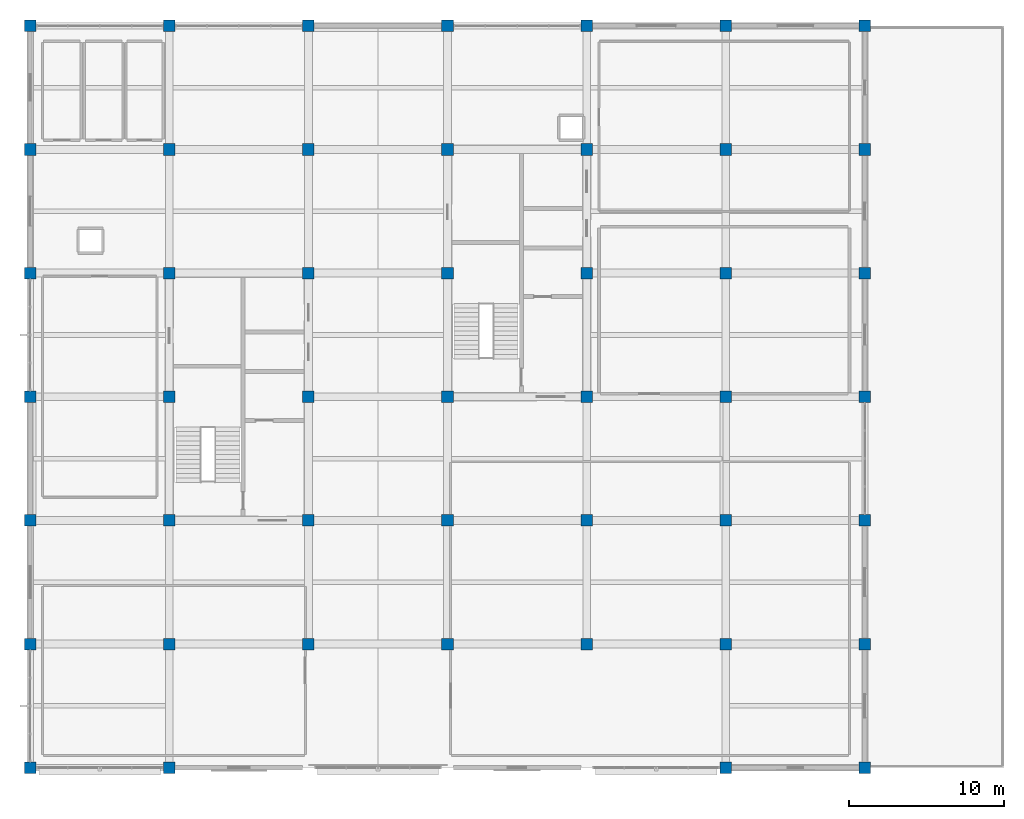
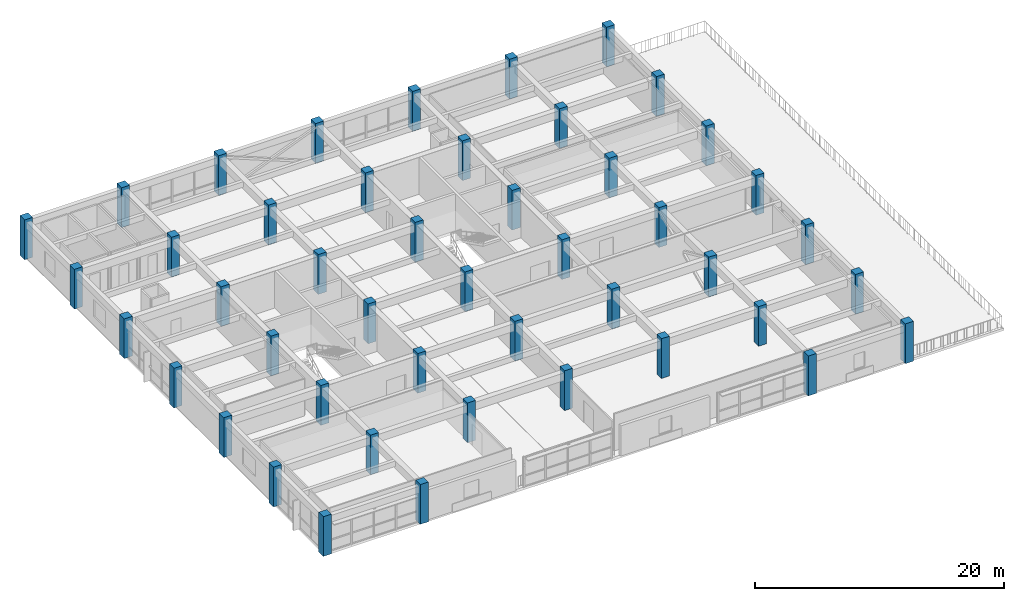
# One storey, part 1 of 15: 46 columns.
"""IFC4 building model written with IfcOpenShell, lengths in metres."""

from ifc_helpers import new_model, si_unit, direction, frame, origin, origin_2d, place, context, subcontext, project, spatial, rectangle, extrude, material, material_profile, profile_set, type_object, element, save


model = new_model("IFC4")

# Units and contexts
model_context = context("Model", 3, precision=1e-05, world=origin(), true_north=direction((0.0, 1.0)))
body_context = subcontext(model_context, "Body", "Model", "MODEL_VIEW")
ifc_project = project(units=[si_unit("LENGTHUNIT", "METRE"), si_unit("AREAUNIT", "SQUARE_METRE"), si_unit("VOLUMEUNIT", "CUBIC_METRE"), si_unit("PLANEANGLEUNIT", "RADIAN"), si_unit("MASSUNIT", "GRAM", prefix="KILO")], contexts=[model_context])

# Site, building, storey
site_placement = place(None, origin())
site = spatial("IfcSite", under=ifc_project, at=site_placement, CompositionType="ELEMENT")
building_placement = place(site_placement, origin())
building = spatial("IfcBuilding", under=site, at=building_placement, Name="Zaverband Oceanarium and Marine Research Institute", CompositionType="ELEMENT")
storey_placement = place(building_placement, frame((0.0, 0.0, 45.300048828125)))
storey = spatial("IfcBuildingStorey", under=building, at=storey_placement, Name="L11", CompositionType="ELEMENT", Elevation=45.300048828125)

# Columns
ifc_material = material(Name="Concrete C50/60", Category="concrete")
ifc_material_profile = material_profile(ifc_material, rectangle(XDim=0.75, YDim=0.75, at=origin_2d()), Name="RC750x750")
ifc_profile_set = profile_set([ifc_material_profile], Name="Concrete C50/60")
column_type = type_object("IfcColumnType", Name="COL-C750", PredefinedType="COLUMN", material=ifc_profile_set)
for number, where, z_axis, x_axis, name in (
    (1, (9.0, 64.0, 0.0), (0.0, 0.0, 1.0), (1.0, 0.0, 0.0), "Reinforced concrete column RC750x750 COL-C750"),
    (2, (9.0, 72.0, 0.0), (0.0, 0.0, 1.0), (1.0, 0.0, 0.0), "Reinforced concrete column RC750x750 COL-C750"),
    (3, (9.0, 80.0, 0.0), (0.0, 0.0, 1.0), (1.0, 0.0, 0.0), "Reinforced concrete column RC750x750 COL-C750"),
    (4, (9.0, 88.0, 0.0), (0.0, 0.0, 1.0), (1.0, 0.0, 0.0), "Reinforced concrete column RC750x750 COL-C750"),
    (5, (9.0, 96.0, 0.0), (0.0, 0.0, 1.0), (1.0, 0.0, 0.0), "Reinforced concrete column RC750x750 COL-C750"),
    (6, (9.0, 104.0, 0.0), (0.0, 0.0, 1.0), (1.0, 0.0, 0.0), "Reinforced concrete column RC750x750 COL-C750"),
    (7, (9.0, 112.0, 0.0), (0.0, 0.0, 1.0), (1.0, 0.0, 0.0), "Reinforced concrete column RC750x750 COL-C750"),
    (8, (18.0, 64.0, 0.0), (0.0, 0.0, 1.0), (1.0, 0.0, 0.0), "Reinforced concrete column RC750x750 COL-C750"),
    (9, (18.0, 72.0, 0.0), (0.0, 0.0, 1.0), (1.0, 0.0, 0.0), "Reinforced concrete column RC750x750 COL-C750"),
    (10, (18.0, 80.0, 0.0), (0.0, 0.0, 1.0), (1.0, 0.0, 0.0), "Reinforced concrete column RC750x750 COL-C750"),
    (11, (18.0, 88.0, 0.0), (0.0, 0.0, 1.0), (1.0, 0.0, 0.0), "Reinforced concrete column RC750x750 COL-C750"),
    (12, (18.0, 96.0, 0.0), (0.0, 0.0, 1.0), (1.0, 0.0, 0.0), "Reinforced concrete column RC750x750 COL-C750"),
    (13, (18.0, 104.0, 0.0), (0.0, 0.0, 1.0), (1.0, 0.0, 0.0), "Reinforced concrete column RC750x750 COL-C750"),
    (14, (18.0, 112.0, 0.0), (0.0, 0.0, 1.0), (1.0, 0.0, 0.0), "Reinforced concrete column RC750x750 COL-C750"),
    (15, (27.0, 72.0, 0.0), (0.0, 0.0, 1.0), (1.0, 0.0, 0.0), "Reinforced concrete column RC750x750 COL-C750"),
    (16, (27.0, 80.0, 0.0), (0.0, 0.0, 1.0), (1.0, 0.0, 0.0), "Reinforced concrete column RC750x750 COL-C750"),
    (17, (27.0, 88.0, 0.0), (0.0, 0.0, 1.0), (1.0, 0.0, 0.0), "Reinforced concrete column RC750x750 COL-C750"),
    (18, (27.0, 96.0, 0.0), (0.0, 0.0, 1.0), (1.0, 0.0, 0.0), "Reinforced concrete column RC750x750 COL-C750"),
    (19, (27.0, 104.0, 0.0), (0.0, 0.0, 1.0), (1.0, 0.0, 0.0), "Reinforced concrete column RC750x750 COL-C750"),
    (20, (27.0, 112.0, 0.0), (0.0, 0.0, 1.0), (1.0, 0.0, 0.0), "Reinforced concrete column RC750x750 COL-C750"),
    (21, (36.0, 72.0, 0.0), (0.0, 0.0, 1.0), (1.0, 0.0, 0.0), "Reinforced concrete column RC750x750 COL-C750"),
    (22, (36.0, 80.0, 0.0), (0.0, 0.0, 1.0), (1.0, 0.0, 0.0), "Reinforced concrete column RC750x750 COL-C750"),
    (23, (36.0, 88.0, 0.0), (0.0, 0.0, 1.0), (1.0, 0.0, 0.0), "Reinforced concrete column RC750x750 COL-C750"),
    (24, (36.0, 96.0, 0.0), (0.0, 0.0, 1.0), (1.0, 0.0, 0.0), "Reinforced concrete column RC750x750 COL-C750"),
    (25, (36.0, 104.0, 0.0), (0.0, 0.0, 1.0), (1.0, 0.0, 0.0), "Reinforced concrete column RC750x750 COL-C750"),
    (26, (36.0, 112.0, 0.0), (0.0, 0.0, 1.0), (1.0, 0.0, 0.0), "Reinforced concrete column RC750x750 COL-C750"),
    (27, (45.0, 72.0, 0.0), (0.0, 0.0, 1.0), (1.0, 0.0, 0.0), "Reinforced concrete column RC750x750 COL-C750"),
    (28, (45.0, 80.0, 0.0), (0.0, 0.0, 1.0), (1.0, 0.0, 0.0), "Reinforced concrete column RC750x750 COL-C750"),
    (29, (45.0, 88.0, 0.0), (0.0, 0.0, 1.0), (1.0, 0.0, 0.0), "Reinforced concrete column RC750x750 COL-C750"),
    (30, (45.0, 96.0, 0.0), (0.0, 0.0, 1.0), (1.0, 0.0, 0.0), "Reinforced concrete column RC750x750 COL-C750"),
    (31, (45.0, 104.0, 0.0), (0.0, 0.0, 1.0), (1.0, 0.0, 0.0), "Reinforced concrete column RC750x750 COL-C750"),
    (32, (45.0, 112.0, 0.0), (0.0, 0.0, 1.0), (1.0, 0.0, 0.0), "Reinforced concrete column RC750x750 COL-C750"),
    (33, (54.0, 64.0, 0.0), (0.0, 0.0, 1.0), (1.0, 0.0, 0.0), "Reinforced concrete column RC750x750 COL-C750"),
    (34, (54.0, 72.0, 0.0), (0.0, 0.0, 1.0), (1.0, 0.0, 0.0), "Reinforced concrete column RC750x750 COL-C750"),
    (35, (54.0, 80.0, 0.0), (0.0, 0.0, 1.0), (1.0, 0.0, 0.0), "Reinforced concrete column RC750x750 COL-C750"),
    (36, (54.0, 88.0, 0.0), (0.0, 0.0, 1.0), (1.0, 0.0, 0.0), "Reinforced concrete column RC750x750 COL-C750"),
    (37, (54.0, 96.0, 0.0), (0.0, 0.0, 1.0), (1.0, 0.0, 0.0), "Reinforced concrete column RC750x750 COL-C750"),
    (38, (54.0, 104.0, 0.0), (0.0, 0.0, 1.0), (1.0, 0.0, 0.0), "Reinforced concrete column RC750x750 COL-C750"),
    (39, (54.0, 112.0, 0.0), (0.0, 0.0, 1.0), (1.0, 0.0, 0.0), "Reinforced concrete column RC750x750 COL-C750"),
    (40, (63.0, 64.0, 0.0), (0.0, 0.0, 1.0), (1.0, 0.0, 0.0), "Reinforced concrete column RC750x750 COL-C750"),
    (41, (63.0, 72.0, 0.0), (0.0, 0.0, 1.0), (1.0, 0.0, 0.0), "Reinforced concrete column RC750x750 COL-C750"),
    (42, (63.0, 80.0, 0.0), (0.0, 0.0, 1.0), (1.0, 0.0, 0.0), "Reinforced concrete column RC750x750 COL-C750"),
    (43, (63.0, 88.0, 0.0), (0.0, 0.0, 1.0), (1.0, 0.0, 0.0), "Reinforced concrete column RC750x750 COL-C750"),
    (44, (63.0, 96.0, 0.0), (0.0, 0.0, 1.0), (1.0, 0.0, 0.0), "Reinforced concrete column RC750x750 COL-C750"),
    (45, (63.0, 104.0, 0.0), (0.0, 0.0, 1.0), (1.0, 0.0, 0.0), "Reinforced concrete column RC750x750 COL-C750"),
    (46, (63.0, 112.0, 0.0), (0.0, 0.0, 1.0), (1.0, 0.0, 0.0), "Reinforced concrete column RC750x750 COL-C750"),
):
    element("IfcColumn", number, at=place(storey_placement, frame(where, z_axis=z_axis, x_axis=x_axis)), inside=storey, type_object=column_type, Name=name, PredefinedType="COLUMN", context=body_context, shape_type="SweptSolid", body=[
        extrude(rectangle(XDim=0.75, YDim=0.75, at=origin_2d()), origin(), (0.0, 0.0, 1.0), 3.89990234375),
    ])

save(model, "model.ifc")
